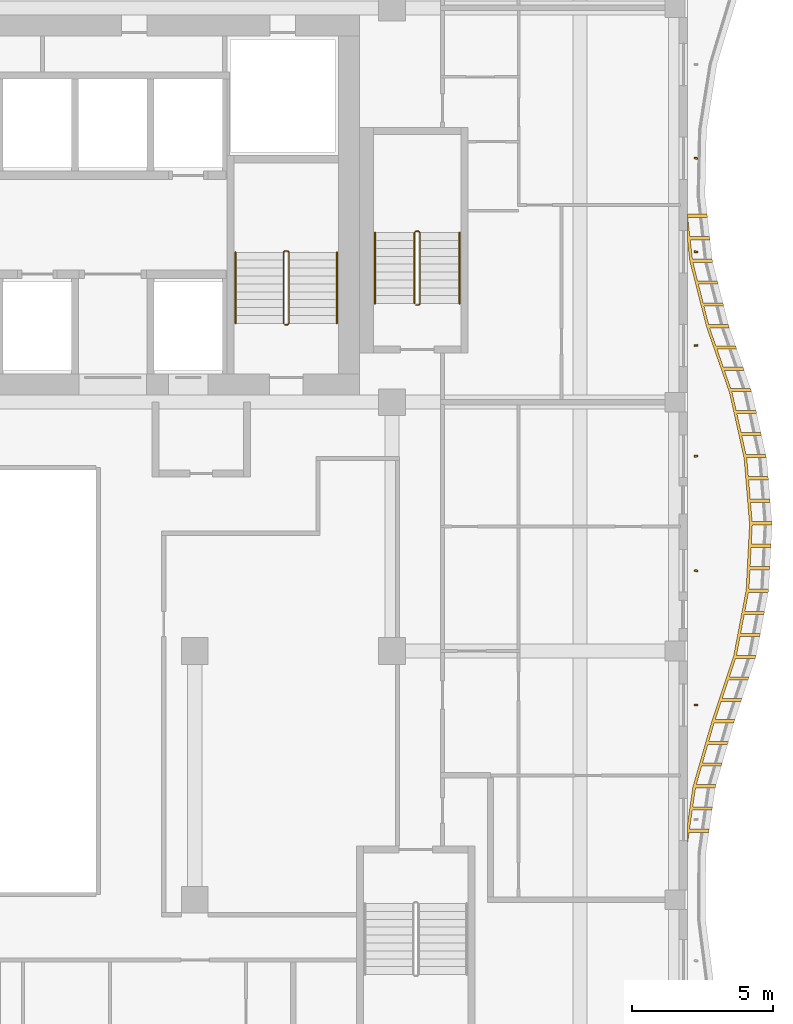
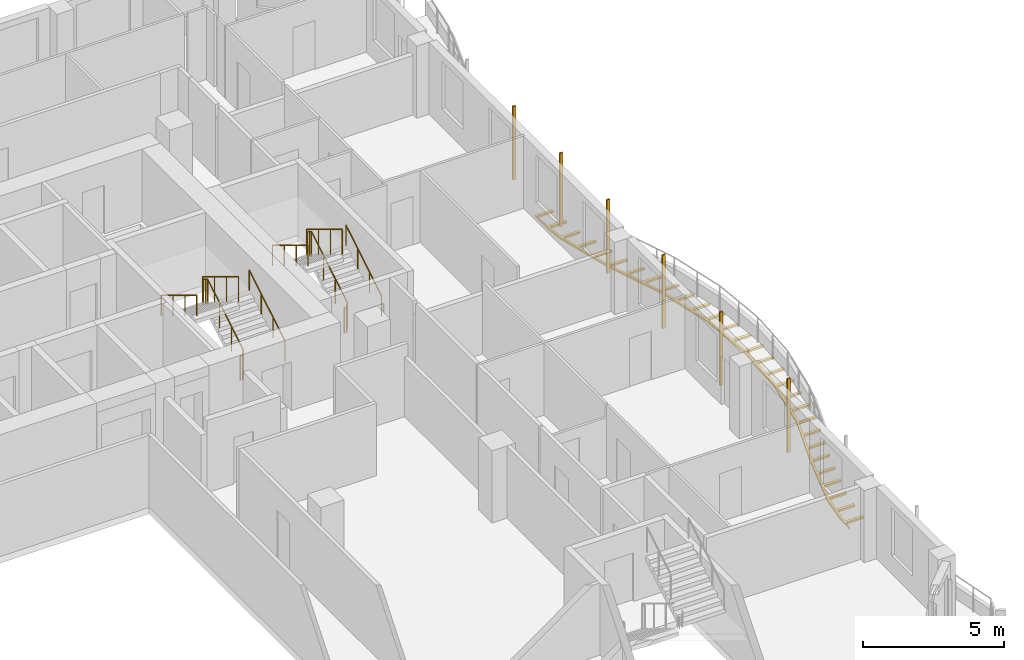
# One storey, part 19 of 20: 7 shading devices, 6 railings.
"""IFC4 building model written with IfcOpenShell, lengths in metres."""

import ifcopenshell
import ifcopenshell.guid

model = None  # the IFC model being written
_history = None  # IfcOwnerHistory: only IFC2X3 demands one
_inside = {}  # id of a spatial element -> (the spatial element, [elements in it])
_under = {}  # id of a project, library or spatial element -> (it, [spatial elements below it])
_declared = {}  # id of a project -> (the project, [libraries it declares])
_typed = {}  # id of a type object -> (the type object, [elements of that type])
_made_of = {}  # id of a material, layer set ... -> (it, [elements and type objects made of it])


def new_model(schema):
    """Start an empty IFC model of exactly this schema.

    Asked for "IFC4X3", IfcOpenShell would pick the latest addendum, in which some entities
    have other attributes; the version numbers below select the first issue.
    IFC2X3 requires an IfcOwnerHistory on every rooted entity: one is made here for all.
    """
    global model, _history
    if schema == "IFC4X3":
        model = ifcopenshell.file(schema_version=(4, 3, 0, 0))
    else:
        model = ifcopenshell.file(schema=schema)
    _inside.clear()
    _under.clear()
    _declared.clear()
    _typed.clear()
    _made_of.clear()
    _history = None
    if model.schema == "IFC2X3":
        org = make("IfcOrganization", Name="unknown")
        user = make(
            "IfcPersonAndOrganization",
            ThePerson=make("IfcPerson", FamilyName="unknown"),
            TheOrganization=org,
        )
        app = make(
            "IfcApplication",
            ApplicationDeveloper=org,
            Version="unknown",
            ApplicationFullName="unknown",
            ApplicationIdentifier="unknown",
        )
        _history = make(
            "IfcOwnerHistory",
            OwningUser=user,
            OwningApplication=app,
            ChangeAction="ADDED",
            CreationDate=0,
        )
    return model


def make(cls, **values):
    """One entity of the class cls with the attributes given. An attribute that is None is left unset."""
    return model.create_entity(
        cls, **{name: value for name, value in values.items() if value is not None}
    )


def rooted(cls, **values):
    """An entity with a GlobalId (a new one), such as an element, a storey or a relation."""
    return make(cls, GlobalId=ifcopenshell.guid.new(), OwnerHistory=_history, **values)


def si_unit(unit_type, name, prefix=None):
    """IfcSIUnit, for example si_unit("LENGTHUNIT", "METRE", prefix="MILLI")."""
    return make("IfcSIUnit", UnitType=unit_type, Prefix=prefix, Name=name)


def assignment(units):
    """IfcUnitAssignment: the units of a project."""
    return None if units is None else make("IfcUnitAssignment", Units=units)


def point(xyz):
    """IfcCartesianPoint."""
    return None if xyz is None else make("IfcCartesianPoint", Coordinates=xyz)


def direction(xyz):
    """IfcDirection."""
    return None if xyz is None else make("IfcDirection", DirectionRatios=xyz)


def frame(location, z_axis=None, x_axis=None):
    """IfcAxis2Placement3D, a coordinate frame: its origin and axes. An axis left out is left unset."""
    return make(
        "IfcAxis2Placement3D",
        Location=point(location),
        Axis=direction(z_axis),
        RefDirection=direction(x_axis),
    )


def frame_2d(location, x_axis=None):
    """IfcAxis2Placement2D, a coordinate frame in the plane: its origin and x axis."""
    return make(
        "IfcAxis2Placement2D", Location=point(location), RefDirection=direction(x_axis)
    )


def origin():
    """The frame at (0, 0, 0) with its axes left unset."""
    return frame((0.0, 0.0, 0.0))


def origin_2d():
    """The frame at (0, 0) in the plane with its x axis left unset."""
    return frame_2d((0.0, 0.0))


def place(relative_to, where):
    """IfcLocalPlacement: puts the frame where relative to a parent placement (None: the world)."""
    return make(
        "IfcLocalPlacement", PlacementRelTo=relative_to, RelativePlacement=where
    )


def context(
    kind, dimensions, precision=None, world=None, true_north=None, identifier=None
):
    """IfcGeometricRepresentationContext, for example the 3D "Model" context."""
    return make(
        "IfcGeometricRepresentationContext",
        ContextIdentifier=identifier,
        ContextType=kind,
        CoordinateSpaceDimension=dimensions,
        Precision=precision,
        WorldCoordinateSystem=world,
        TrueNorth=true_north,
    )


def subcontext(parent, identifier, kind, view, scale=None):
    """IfcGeometricRepresentationSubContext, for example "Body" below "Model"."""
    return make(
        "IfcGeometricRepresentationSubContext",
        ContextIdentifier=identifier,
        ContextType=kind,
        ParentContext=parent,
        TargetScale=scale,
        TargetView=view,
    )


def project(units=None, contexts=None):
    """IfcProject with its units and contexts."""
    return rooted(
        "IfcProject",
        Name="project",
        RepresentationContexts=contexts,
        UnitsInContext=assignment(units),
    )


def spatial(cls, under=None, at=None, **own):
    """A site, building, storey or space (cls), placed at a placement, below another one or the project."""
    s = rooted(cls, ObjectPlacement=at, **own)
    if under is not None:
        _under.setdefault(under.id(), (under, []))[1].append(s)
    return s


def polyline(points):
    """IfcPolyline through the points."""
    return make("IfcPolyline", Points=[point(p) for p in points])


def profile(cls, at=None, kind="AREA", **sizes):
    """A parametric profile (cls). Its sizes go by their IFC names, for example OverallWidth=200.0."""
    return make(cls, ProfileType=kind, Position=at, **sizes)


def rectangle(**sizes):
    """IfcRectangleProfileDef."""
    return profile("IfcRectangleProfileDef", **sizes)


def circle(**sizes):
    """IfcCircleProfileDef."""
    return profile("IfcCircleProfileDef", **sizes)


def outline(outer, holes=None, kind="AREA"):
    """IfcArbitraryClosedProfileDef: a profile drawn as a closed curve; with holes, ...WithVoids."""
    if holes is None:
        return make("IfcArbitraryClosedProfileDef", ProfileType=kind, OuterCurve=outer)
    return make(
        "IfcArbitraryProfileDefWithVoids",
        ProfileType=kind,
        OuterCurve=outer,
        InnerCurves=holes,
    )


def extrude(swept, where, along, depth):
    """IfcExtrudedAreaSolid: the profile swept, set in the frame where, extruded along a direction by depth."""
    return make(
        "IfcExtrudedAreaSolid",
        SweptArea=swept,
        Position=where,
        ExtrudedDirection=direction(along),
        Depth=depth,
    )


def shape(context_of_items, identifier, shape_type, items):
    """IfcShapeRepresentation: the items that make up one representation, for example the "Body"."""
    return make(
        "IfcShapeRepresentation",
        ContextOfItems=context_of_items,
        RepresentationIdentifier=identifier,
        RepresentationType=shape_type,
        Items=items,
    )


def source(mapping_origin, context_of_items, identifier, shape_type, items):
    """IfcRepresentationMap: a shape defined once, which mapped items show again and again."""
    return make(
        "IfcRepresentationMap",
        MappingOrigin=mapping_origin,
        MappedRepresentation=shape(context_of_items, identifier, shape_type, items),
    )


def transform(
    local_origin,
    x_axis=None,
    y_axis=None,
    z_axis=None,
    scale=None,
    scale2=None,
    scale3=None,
    uniform=True,
):
    """IfcCartesianTransformationOperator3D, or its non-uniform kind. x_axis, y_axis, z_axis: its Axis1, 2, 3."""
    if uniform:
        return make(
            "IfcCartesianTransformationOperator3D",
            Axis1=direction(x_axis),
            Axis2=direction(y_axis),
            LocalOrigin=point(local_origin),
            Scale=scale,
            Axis3=direction(z_axis),
        )
    return make(
        "IfcCartesianTransformationOperator3DnonUniform",
        Axis1=direction(x_axis),
        Axis2=direction(y_axis),
        LocalOrigin=point(local_origin),
        Scale=scale,
        Axis3=direction(z_axis),
        Scale2=scale2,
        Scale3=scale3,
    )


def mapped(mapping_source, mapping_target):
    """IfcMappedItem: shows the shape of a source again, moved by a transform."""
    return make(
        "IfcMappedItem", MappingSource=mapping_source, MappingTarget=mapping_target
    )


def material(Name=None, Category=None):
    """IfcMaterial."""
    return make("IfcMaterial", Name=Name, Category=Category)


def layer(
    of_material, thickness, ventilated=None, Name=None, Category=None, Priority=None
):
    """IfcMaterialLayer: one layer of a wall or slab, of a material (None: an air gap)."""
    return make(
        "IfcMaterialLayer",
        Material=of_material,
        LayerThickness=thickness,
        IsVentilated=ventilated,
        Name=Name,
        Category=Category,
        Priority=Priority,
    )


def layer_set(layers, Name=None):
    """IfcMaterialLayerSet."""
    return make("IfcMaterialLayerSet", MaterialLayers=layers, LayerSetName=Name)


def material_profile(
    of_material, cross_section, Name=None, Category=None, Priority=None
):
    """IfcMaterialProfile: a cross section and its material."""
    return make(
        "IfcMaterialProfile",
        Name=Name,
        Material=of_material,
        Profile=cross_section,
        Priority=Priority,
        Category=Category,
    )


def profile_set(profiles, Name=None, composite=None):
    """IfcMaterialProfileSet."""
    return make(
        "IfcMaterialProfileSet",
        Name=Name,
        MaterialProfiles=profiles,
        CompositeProfile=composite,
    )


def made_of(thing, what):
    """Note that an element or type object is made of a material, layer set ...; save() writes the relation."""
    if what is not None:
        _made_of.setdefault(what.id(), (what, []))[1].append(thing)
    return thing


def type_object(cls, material=None, **own):
    """A type object (cls), such as IfcWallType, which elements share."""
    return made_of(rooted(cls, **own), material)


def element(
    cls,
    number,
    at=None,
    inside=None,
    cuts=None,
    type_object=None,
    material=None,
    context=None,
    identifier="Body",
    shape_type=None,
    held_by="IfcProductDefinitionShape",
    body=None,
    shapes=None,
    **own,
):
    """One element of the class cls, such as IfcWall. Its Tag is "e" and its number.

    at: its placement. inside: the storey or other place that contains it. cuts: it is an
    opening in that element (IfcRelVoidsElement). A single representation is given by context,
    identifier, shape_type and body (its items); several are given by shapes. held_by: the class
    of the entity that holds the representations. save() writes the other relations.
    """
    e = rooted(cls, Tag="e%d" % number, ObjectPlacement=at, **own)
    if body is not None:
        shapes = [shape(context, identifier, shape_type, body)]
    if shapes is not None:
        e.Representation = make(held_by, Representations=shapes)
    if inside is not None:
        _inside.setdefault(inside.id(), (inside, []))[1].append(e)
    if cuts is not None:
        rooted(
            "IfcRelVoidsElement", RelatingBuildingElement=cuts, RelatedOpeningElement=e
        )
    if type_object is not None:
        _typed.setdefault(type_object.id(), (type_object, []))[1].append(e)
    return made_of(e, material)


def aggregate(whole, parts):
    """IfcRelAggregates: a whole, such as a stair, and the parts it consists of."""
    return rooted("IfcRelAggregates", RelatingObject=whole, RelatedObjects=parts)


def save(model, path):
    """Write the relations noted so far, then the file.

    IfcRelAggregates (storeys below a building ...), IfcRelContainedInSpatialStructure (elements
    in a storey), IfcRelDefinesByType, IfcRelAssociatesMaterial and IfcRelDeclares: one each for
    every whole, place, type object, material and project.
    """
    for whole, parts in _under.values():
        aggregate(whole, parts)
    for where, things in _inside.values():
        rooted(
            "IfcRelContainedInSpatialStructure",
            RelatedElements=things,
            RelatingStructure=where,
        )
    for kind, things in _typed.values():
        rooted("IfcRelDefinesByType", RelatedObjects=things, RelatingType=kind)
    for what, things in _made_of.values():
        rooted("IfcRelAssociatesMaterial", RelatedObjects=things, RelatingMaterial=what)
    for by, libraries in _declared.values():
        rooted("IfcRelDeclares", RelatingContext=by, RelatedDefinitions=libraries)
    model.write(path)


model = new_model("IFC4")

# Units and contexts
model_context = context("Model", 3, precision=1e-05, world=origin(), true_north=direction((0.0, 1.0)))
body_context = subcontext(model_context, "Body", "Model", "MODEL_VIEW")
ifc_project = project(units=[si_unit("LENGTHUNIT", "METRE"), si_unit("AREAUNIT", "SQUARE_METRE"), si_unit("VOLUMEUNIT", "CUBIC_METRE"), si_unit("PLANEANGLEUNIT", "RADIAN"), si_unit("MASSUNIT", "GRAM", prefix="KILO")], contexts=[model_context])

# Site, building, storey
site_placement = place(None, origin())
site = spatial("IfcSite", under=ifc_project, at=site_placement, CompositionType="ELEMENT")
building_placement = place(site_placement, origin())
building = spatial("IfcBuilding", under=site, at=building_placement, Name="Kilnfold Tower and Market Hall", CompositionType="ELEMENT")
storey_placement = place(building_placement, frame((0.0, 0.0, 239.0)))
storey = spatial("IfcBuildingStorey", under=building, at=storey_placement, Name="L57", CompositionType="ELEMENT", Elevation=239.0)

# Railings
ifc_material_1 = material(Name="Stainless steel 316", Category="steel")
railing_type_1 = type_object("IfcRailingType", Name="CORE STAIR GUARD 1100", PredefinedType="GUARDRAIL", material=ifc_material_1)
railing_1_placement = place(storey_placement, frame((15.199951171875, 10.75, 0.0)))
element("IfcRailing", 1, at=railing_1_placement, inside=storey, type_object=railing_type_1, Name="L57 ST2 stair guard 1", PredefinedType="GUARDRAIL", context=body_context, shape_type="SweptSolid", body=[
    extrude(circle(Radius=0.02392578125, at=origin_2d()), frame((0.0, 0.0, 1.076171875), z_axis=(1.0, 0.0, 0.0), x_axis=(0.0, 1.0, 0.0)), (0.0, 0.0, 1.0), 0.10009765625),
    extrude(circle(Radius=0.02392578125, at=origin_2d()), frame((0.10009765625, 0.0, 1.076171875), z_axis=(0.271895245746, 0.271895245746, 0.923117517265), x_axis=(-0.707106781187, 0.707106781187, 0.0)), (0.0, 0.0, 1.0), 0.18408203125),
    extrude(circle(Radius=0.02392578125, at=origin_2d()), frame((0.150146484375, 0.050048828125, 1.24609375), z_axis=(0.0, 0.85478489116, 0.518982456201), x_axis=(-1.0, 0.0, 0.0)), (0.0, 0.0, 1.0), 2.9482421875),
    extrude(circle(Radius=0.02392578125, at=origin_2d()), frame((0.150146484375, 2.570068359375, 2.77587890625), z_axis=(-0.707106781187, 0.707106781187, 0.0), x_axis=(-0.707106781187, -0.707106781187, 0.0)), (0.0, 0.0, 1.0), 0.07080078125),
    extrude(circle(Radius=0.02392578125, at=origin_2d()), frame((0.10009765625, 2.6201171875, 2.77587890625), z_axis=(-1.0, 0.0, 0.0), x_axis=(0.0, -1.0, 0.0)), (0.0, 0.0, 1.0), 0.10009765625),
    extrude(circle(Radius=0.02392578125, at=origin_2d()), frame((0.0, 2.6201171875, 2.77587890625), z_axis=(-0.271562723297, -0.271562723297, 0.923313259209), x_axis=(0.707106781187, -0.707106781187, 0.0)), (0.0, 0.0, 1.0), 0.184326171875),
    extrude(circle(Radius=0.02392578125, at=origin_2d()), frame((-0.050048828125, 2.570068359375, 2.9462890625), z_axis=(0.0, -0.854821627497, 0.518921945155), x_axis=(1.0, 0.0, 0.0)), (0.0, 0.0, 1.0), 2.947998046875),
    extrude(circle(Radius=0.02099609375, at=origin_2d()), origin(), (0.0, 0.0, 1.0), 1.052001953125),
    extrude(circle(Radius=0.02099609375, at=origin_2d()), frame((0.10009765625, 0.0, 0.0)), (0.0, 0.0, 1.0), 1.052001953125),
    extrude(circle(Radius=0.02099609375, at=origin_2d()), frame((0.150146484375, 0.050048828125, 0.169921875)), (0.0, 0.0, 1.0), 1.052001953125),
    extrude(circle(Radius=0.02099609375, at=origin_2d()), frame((0.150146484375, 0.89013671875, 0.679931640625)), (0.0, 0.0, 1.0), 1.052001953125),
    extrude(circle(Radius=0.02099609375, at=origin_2d()), frame((0.150146484375, 1.72998046875, 1.18994140625)), (0.0, 0.0, 1.0), 1.052001953125),
    extrude(circle(Radius=0.02099609375, at=origin_2d()), frame((0.150146484375, 2.570068359375, 1.699951171875)), (0.0, 0.0, 1.0), 1.052001953125),
    extrude(circle(Radius=0.02099609375, at=origin_2d()), frame((0.10009765625, 2.6201171875, 1.699951171875)), (0.0, 0.0, 1.0), 1.052001953125),
    extrude(circle(Radius=0.02099609375, at=origin_2d()), frame((0.0, 2.6201171875, 1.699951171875)), (0.0, 0.0, 1.0), 1.052001953125),
    extrude(circle(Radius=0.02099609375, at=origin_2d()), frame((-0.050048828125, 2.570068359375, 1.8701171875)), (0.0, 0.0, 1.0), 1.052001953125),
    extrude(circle(Radius=0.02099609375, at=origin_2d()), frame((-0.050048828125, 1.72998046875, 2.380126953125)), (0.0, 0.0, 1.0), 1.052001953125),
    extrude(circle(Radius=0.02099609375, at=origin_2d()), frame((-0.050048828125, 0.89013671875, 2.889892578125)), (0.0, 0.0, 1.0), 1.052001953125),
    extrude(circle(Radius=0.02099609375, at=origin_2d()), frame((-0.050048828125, 0.050048828125, 3.39990234375)), (0.0, 0.0, 1.0), 1.052001953125),
])
railing_2_placement = place(storey_placement, frame((19.85009765625, 11.449951171875, 0.0)))
element("IfcRailing", 2, at=railing_2_placement, inside=storey, type_object=railing_type_1, Name="L57 ST5 stair guard 1", PredefinedType="GUARDRAIL", context=body_context, shape_type="SweptSolid", body=[
    extrude(circle(Radius=0.02392578125, at=origin_2d()), frame((0.0, 0.0, 1.076171875), z_axis=(1.0, 0.0, 0.0), x_axis=(0.0, 1.0, 0.0)), (0.0, 0.0, 1.0), 0.099853515625),
    extrude(circle(Radius=0.02392578125, at=origin_2d()), frame((0.099853515625, 0.0, 1.076171875), z_axis=(0.271895245746, 0.271895245746, 0.923117517265), x_axis=(-0.707106781187, 0.707106781187, 0.0)), (0.0, 0.0, 1.0), 0.18408203125),
    extrude(circle(Radius=0.02392578125, at=origin_2d()), frame((0.14990234375, 0.050048828125, 1.24609375), z_axis=(0.0, 0.85478489116, 0.518982456201), x_axis=(-1.0, 0.0, 0.0)), (0.0, 0.0, 1.0), 2.9482421875),
    extrude(circle(Radius=0.02392578125, at=origin_2d()), frame((0.14990234375, 2.570068359375, 2.77587890625), z_axis=(-0.707106781187, 0.707106781187, 0.0), x_axis=(-0.707106781187, -0.707106781187, 0.0)), (0.0, 0.0, 1.0), 0.07080078125),
    extrude(circle(Radius=0.02392578125, at=origin_2d()), frame((0.099853515625, 2.6201171875, 2.77587890625), z_axis=(-1.0, 0.0, 0.0), x_axis=(0.0, -1.0, 0.0)), (0.0, 0.0, 1.0), 0.099853515625),
    extrude(circle(Radius=0.02392578125, at=origin_2d()), frame((0.0, 2.6201171875, 2.77587890625), z_axis=(-0.271562723297, -0.271562723297, 0.923313259209), x_axis=(0.707106781187, -0.707106781187, 0.0)), (0.0, 0.0, 1.0), 0.184326171875),
    extrude(circle(Radius=0.02392578125, at=origin_2d()), frame((-0.050048828125, 2.570068359375, 2.9462890625), z_axis=(0.0, -0.854821627497, 0.518921945155), x_axis=(1.0, 0.0, 0.0)), (0.0, 0.0, 1.0), 2.947998046875),
    extrude(circle(Radius=0.02099609375, at=origin_2d()), origin(), (0.0, 0.0, 1.0), 1.052001953125),
    extrude(circle(Radius=0.02099609375, at=origin_2d()), frame((0.099853515625, 0.0, 0.0)), (0.0, 0.0, 1.0), 1.052001953125),
    extrude(circle(Radius=0.02099609375, at=origin_2d()), frame((0.14990234375, 0.050048828125, 0.169921875)), (0.0, 0.0, 1.0), 1.052001953125),
    extrude(circle(Radius=0.02099609375, at=origin_2d()), frame((0.14990234375, 0.89013671875, 0.679931640625)), (0.0, 0.0, 1.0), 1.052001953125),
    extrude(circle(Radius=0.02099609375, at=origin_2d()), frame((0.14990234375, 1.72998046875, 1.18994140625)), (0.0, 0.0, 1.0), 1.052001953125),
    extrude(circle(Radius=0.02099609375, at=origin_2d()), frame((0.14990234375, 2.570068359375, 1.699951171875)), (0.0, 0.0, 1.0), 1.052001953125),
    extrude(circle(Radius=0.02099609375, at=origin_2d()), frame((0.099853515625, 2.6201171875, 1.699951171875)), (0.0, 0.0, 1.0), 1.052001953125),
    extrude(circle(Radius=0.02099609375, at=origin_2d()), frame((0.0, 2.6201171875, 1.699951171875)), (0.0, 0.0, 1.0), 1.052001953125),
    extrude(circle(Radius=0.02099609375, at=origin_2d()), frame((-0.050048828125, 2.570068359375, 1.8701171875)), (0.0, 0.0, 1.0), 1.052001953125),
    extrude(circle(Radius=0.02099609375, at=origin_2d()), frame((-0.050048828125, 1.72998046875, 2.380126953125)), (0.0, 0.0, 1.0), 1.052001953125),
    extrude(circle(Radius=0.02099609375, at=origin_2d()), frame((-0.050048828125, 0.89013671875, 2.889892578125)), (0.0, 0.0, 1.0), 1.052001953125),
    extrude(circle(Radius=0.02099609375, at=origin_2d()), frame((-0.050048828125, 0.050048828125, 3.39990234375)), (0.0, 0.0, 1.0), 1.052001953125),
])
ifc_material_2 = material(Name="Stainless steel 316", Category="steel")
railing_type_2 = type_object("IfcRailingType", Name="CORE STAIR HANDRAIL 900", PredefinedType="HANDRAIL", material=ifc_material_2)
railing_3_placement = place(storey_placement, frame((17.050048828125, 10.800048828125, 0.169921875)))
element("IfcRailing", 3, at=railing_3_placement, inside=storey, type_object=railing_type_2, Name="L57 ST2 stair handrail 1", PredefinedType="HANDRAIL", context=body_context, shape_type="SweptSolid", body=[
    extrude(circle(Radius=0.02392578125, at=origin_2d()), frame((0.0, 0.0, 0.8759765625), z_axis=(0.0, 0.85478489116, 0.518982456201), x_axis=(-1.0, 0.0, 0.0)), (0.0, 0.0, 1.0), 2.9482421875),
    extrude(circle(Radius=0.02099609375, at=origin_2d()), origin(), (0.0, 0.0, 1.0), 0.851806640625),
    extrude(circle(Radius=0.02099609375, at=origin_2d()), frame((0.0, 0.840087890625, 0.510009765625)), (0.0, 0.0, 1.0), 0.851806640625),
    extrude(circle(Radius=0.02099609375, at=origin_2d()), frame((0.0, 1.679931640625, 1.02001953125)), (0.0, 0.0, 1.0), 0.851806640625),
    extrude(circle(Radius=0.02099609375, at=origin_2d()), frame((0.0, 2.52001953125, 1.530029296875)), (0.0, 0.0, 1.0), 0.851806640625),
])
railing_4_placement = place(storey_placement, frame((13.449951171875, 13.320068359375, 1.8701171875)))
element("IfcRailing", 4, at=railing_4_placement, inside=storey, type_object=railing_type_2, Name="L57 ST2 stair handrail 2", PredefinedType="HANDRAIL", context=body_context, shape_type="SweptSolid", body=[
    extrude(circle(Radius=0.02392578125, at=origin_2d()), frame((0.0, 0.0, 0.8759765625), z_axis=(0.0, -0.854821627497, 0.518921945155), x_axis=(1.0, 0.0, 0.0)), (0.0, 0.0, 1.0), 2.947998046875),
    extrude(circle(Radius=0.02099609375, at=origin_2d()), origin(), (0.0, 0.0, 1.0), 0.851806640625),
    extrude(circle(Radius=0.02099609375, at=origin_2d()), frame((0.0, -0.840087890625, 0.510009765625)), (0.0, 0.0, 1.0), 0.851806640625),
    extrude(circle(Radius=0.02099609375, at=origin_2d()), frame((0.0, -1.679931640625, 1.019775390625)), (0.0, 0.0, 1.0), 0.851806640625),
    extrude(circle(Radius=0.02099609375, at=origin_2d()), frame((0.0, -2.52001953125, 1.52978515625)), (0.0, 0.0, 1.0), 0.851806640625),
])
railing_5_placement = place(storey_placement, frame((21.39990234375, 11.5, 0.169921875)))
element("IfcRailing", 5, at=railing_5_placement, inside=storey, type_object=railing_type_2, Name="L57 ST5 stair handrail 1", PredefinedType="HANDRAIL", context=body_context, shape_type="SweptSolid", body=[
    extrude(circle(Radius=0.02392578125, at=origin_2d()), frame((0.0, 0.0, 0.8759765625), z_axis=(0.0, 0.85478489116, 0.518982456201), x_axis=(-1.0, 0.0, 0.0)), (0.0, 0.0, 1.0), 2.9482421875),
    extrude(circle(Radius=0.02099609375, at=origin_2d()), origin(), (0.0, 0.0, 1.0), 0.851806640625),
    extrude(circle(Radius=0.02099609375, at=origin_2d()), frame((0.0, 0.840087890625, 0.510009765625)), (0.0, 0.0, 1.0), 0.851806640625),
    extrude(circle(Radius=0.02099609375, at=origin_2d()), frame((0.0, 1.679931640625, 1.02001953125)), (0.0, 0.0, 1.0), 0.851806640625),
    extrude(circle(Radius=0.02099609375, at=origin_2d()), frame((0.0, 2.52001953125, 1.530029296875)), (0.0, 0.0, 1.0), 0.851806640625),
])
railing_6_placement = place(storey_placement, frame((18.39990234375, 14.02001953125, 1.8701171875)))
element("IfcRailing", 6, at=railing_6_placement, inside=storey, type_object=railing_type_2, Name="L57 ST5 stair handrail 2", PredefinedType="HANDRAIL", context=body_context, shape_type="SweptSolid", body=[
    extrude(circle(Radius=0.02392578125, at=origin_2d()), frame((0.0, 0.0, 0.8759765625), z_axis=(0.0, -0.854821627497, 0.518921945155), x_axis=(1.0, 0.0, 0.0)), (0.0, 0.0, 1.0), 2.947998046875),
    extrude(circle(Radius=0.02099609375, at=origin_2d()), origin(), (0.0, 0.0, 1.0), 0.851806640625),
    extrude(circle(Radius=0.02099609375, at=origin_2d()), frame((0.0, -0.840087890625, 0.510009765625)), (0.0, 0.0, 1.0), 0.851806640625),
    extrude(circle(Radius=0.02099609375, at=origin_2d()), frame((0.0, -1.679931640625, 1.019775390625)), (0.0, 0.0, 1.0), 0.851806640625),
    extrude(circle(Radius=0.02099609375, at=origin_2d()), frame((0.0, -2.52001953125, 1.52978515625)), (0.0, 0.0, 1.0), 0.851806640625),
])

# Shading devices
ifc_material_3 = material(Name="Terracotta", Category="masonry")
ifc_material_profile = material_profile(ifc_material_3, rectangle(XDim=0.06005859375, YDim=0.1201171875, at=origin_2d()), Name="BAG 60x120")
ifc_profile_set = profile_set([ifc_material_profile], Name="Terracotta")
shading_device_type_1 = type_object("IfcShadingDeviceType", Name="BAGUETTE", PredefinedType="USERDEFINED", material=ifc_profile_set)
shared_shape_1 = source(origin(), body_context, "Body", "SweptSolid", [
    extrude(rectangle(XDim=0.06005859375, YDim=0.1201171875, at=origin_2d()), origin(), (0.0, 0.0, 1.0), 3.179931640625),
])
for number, where, z_axis, x_axis, name in (
    (7, (29.800048828125, -2.75, 0.0), (0.0, 0.0, 1.0), (-0.054978062967, 0.998487562563, 0.0), "Terracotta baguette L57 E"),
    (8, (29.800048828125, 2.0166015625, 0.0), (0.0, 0.0, 1.0), (0.13732698904, 0.990525768509, 0.0), "Terracotta baguette L57 E"),
    (9, (29.800048828125, 6.083251953125, 0.0), (0.0, 0.0, 1.0), (-0.056630056653, 0.998395230699, 0.0), "Terracotta baguette L57 E"),
    (10, (29.800048828125, 10.012451171875, 0.0), (0.0, 0.0, 1.0), (-0.114156921978, 0.993462730637, 0.0), "Terracotta baguette L57 E"),
    (11, (29.800048828125, 13.33740234375, 0.0), (0.0, 0.0, 1.0), (0.070759299091, 0.997493419323, 0.0), "Terracotta baguette L57 E"),
    (12, (29.800048828125, 16.66259765625, 0.0), (0.0, 0.0, 1.0), (0.125189512205, 0.992132846969, 0.0), "Terracotta baguette L57 E"),
):
    element("IfcShadingDevice", number, at=place(storey_placement, frame(where, z_axis=z_axis, x_axis=x_axis)), inside=storey, type_object=shading_device_type_1, Name=name, ObjectType="BAGUETTE", PredefinedType="USERDEFINED", context=body_context, shape_type="MappedRepresentation", body=[
        mapped(shared_shape_1, transform((0.0, 0.0, 0.0))),
    ])
ifc_material_4 = material(Name="Bronze anodised aluminium", Category="aluminium")
ifc_layer = layer(ifc_material_4, 0.080078125)
ifc_layer_set = layer_set([ifc_layer], Name="Bronze anodised aluminium")
shading_device_type_2 = type_object("IfcShadingDeviceType", Name="BRONZE SLAT SOFFIT 80", PredefinedType="USERDEFINED", material=ifc_layer_set)
shared_shape_2 = source(origin(), body_context, "Body", "SweptSolid", [
    extrude(outline(polyline([(29.684326171875, -5.666748046875), (30.35595703125, -3.333251953125), (31.135009765625, -1.0), (31.576904296875, 1.333251953125), (31.697998046875, 3.666748046875), (31.5048828125, 6.0), (30.9873046875, 8.333251953125), (30.171630859375, 10.666748046875), (29.57958984375, 13.0), (29.5, 13.707275390625), (29.5, 14.673095703125), (30.19140625, 14.673095703125), (30.204833984375, 14.553955078125), (29.5048828125, 14.553955078125), (29.580810546875, 13.878173828125), (30.28076171875, 13.878173828125), (30.294189453125, 13.7587890625), (29.59423828125, 13.7587890625), (29.670166015625, 13.083251953125), (30.3701171875, 13.083251953125), (30.388427734375, 12.96484375), (29.6884765625, 12.96484375), (29.855712890625, 12.3056640625), (30.5556640625, 12.3056640625), (30.585205078125, 12.189453125), (29.88525390625, 12.189453125), (30.052490234375, 11.5302734375), (30.75244140625, 11.5302734375), (30.781982421875, 11.4140625), (30.08203125, 11.4140625), (30.249267578125, 10.7548828125), (30.94921875, 10.7548828125), (30.981201171875, 10.639404296875), (30.28125, 10.639404296875), (30.505615234375, 9.997314453125), (31.20556640625, 9.997314453125), (31.2451171875, 9.884033203125), (30.545166015625, 9.884033203125), (30.76953125, 9.2421875), (31.469482421875, 9.2421875), (31.50927734375, 9.12890625), (30.80908203125, 9.12890625), (31.033447265625, 8.487060546875), (31.7333984375, 8.487060546875), (31.773193359375, 8.373779296875), (31.072998046875, 8.373779296875), (31.225341796875, 7.711181640625), (31.92529296875, 7.711181640625), (31.951416015625, 7.593994140625), (31.251220703125, 7.593994140625), (31.398681640625, 6.93017578125), (32.0986328125, 6.93017578125), (32.12451171875, 6.81298828125), (31.424560546875, 6.81298828125), (31.572021484375, 6.149169921875), (32.27197265625, 6.149169921875), (32.2978515625, 6.031982421875), (31.597900390625, 6.031982421875), (31.658203125, 5.35498046875), (32.3583984375, 5.35498046875), (32.3681640625, 5.2353515625), (31.668212890625, 5.2353515625), (31.724365234375, 4.557861328125), (32.42431640625, 4.557861328125), (32.43408203125, 4.438232421875), (31.734130859375, 4.438232421875), (31.790283203125, 3.760498046875), (32.490234375, 3.760498046875), (32.498046875, 3.666748046875), (32.49658203125, 3.640869140625), (31.796630859375, 3.640869140625), (31.761474609375, 2.9619140625), (32.46142578125, 2.9619140625), (32.455078125, 2.841796875), (31.755126953125, 2.841796875), (31.719970703125, 2.162841796875), (32.419921875, 2.162841796875), (32.413818359375, 2.04296875), (31.713623046875, 2.04296875), (31.678466796875, 1.364013671875), (32.37841796875, 1.364013671875), (32.376708984375, 1.333251953125), (32.360107421875, 1.24560546875), (31.66015625, 1.24560546875), (31.53369140625, 0.577392578125), (32.233642578125, 0.577392578125), (32.229248046875, 0.5537109375), (32.211181640625, 0.45947265625), (31.51123046875, 0.45947265625), (31.384765625, -0.20849609375), (32.084716796875, -0.20849609375), (32.066162109375, -0.30712890625), (32.0625, -0.326416015625), (31.3623046875, -0.326416015625), (31.23583984375, -0.99462890625), (31.935791015625, -0.99462890625), (31.934814453125, -1.0), (31.898681640625, -1.108642578125), (31.198486328125, -1.108642578125), (30.9833984375, -1.753662109375), (31.683349609375, -1.753662109375), (31.645263671875, -1.867431640625), (30.9453125, -1.867431640625), (30.72998046875, -2.512451171875), (31.429931640625, -2.512451171875), (31.391845703125, -2.626220703125), (30.69189453125, -2.626220703125), (30.4765625, -3.271240234375), (31.176513671875, -3.271240234375), (31.140869140625, -3.3857421875), (30.44091796875, -3.3857421875), (30.252685546875, -4.039306640625), (30.95263671875, -4.039306640625), (30.91943359375, -4.154541015625), (30.219482421875, -4.154541015625), (30.031494140625, -4.80810546875), (30.7314453125, -4.80810546875), (30.6982421875, -4.92333984375), (29.998291015625, -4.92333984375), (29.810302734375, -5.576904296875), (30.51025390625, -5.576904296875), (30.480712890625, -5.693115234375), (29.780517578125, -5.693115234375), (29.683837890625, -6.3662109375), (30.3837890625, -6.3662109375), (30.36669921875, -6.48486328125), (29.666748046875, -6.48486328125), (29.570068359375, -7.157958984375), (30.27001953125, -7.157958984375), (30.2529296875, -7.276611328125), (29.552978515625, -7.276611328125), (29.5, -7.645263671875), (29.5, -6.949462890625), (29.684326171875, -5.666748046875)])), origin(), (0.0, 0.0, 1.0), 0.080078125),
])
shading_device_placement = place(storey_placement, frame((0.0, 0.0, -0.300048828125)))
element("IfcShadingDevice", 13, at=shading_device_placement, inside=storey, type_object=shading_device_type_2, Name="Balcony soffit slats L57", ObjectType="SLAT", PredefinedType="USERDEFINED", context=body_context, shape_type="MappedRepresentation", body=[
    mapped(shared_shape_2, transform((0.0, 0.0, 0.0))),
])

save(model, "model.ifc")
